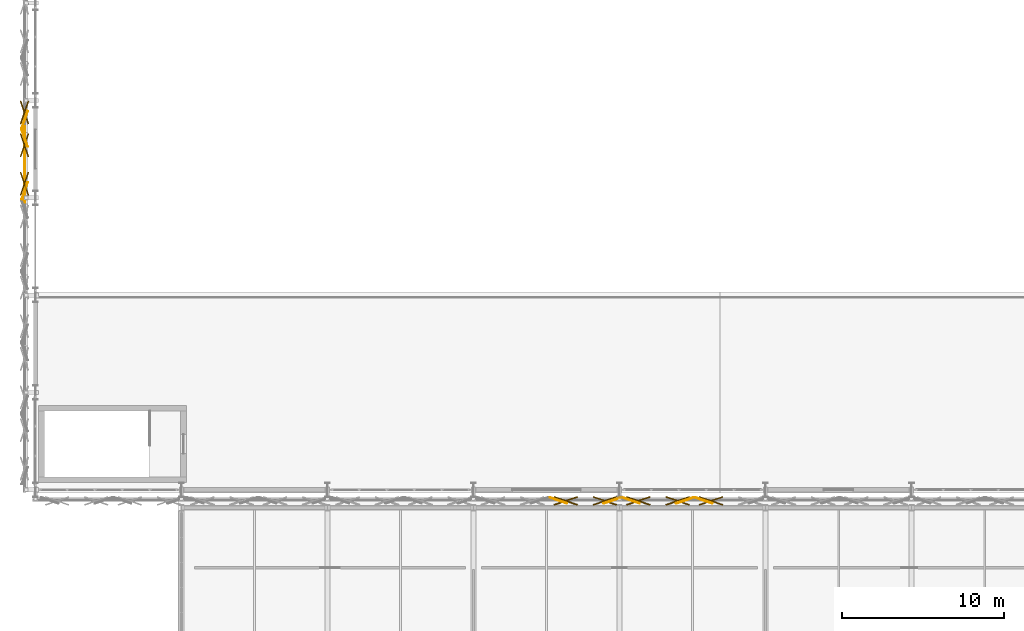
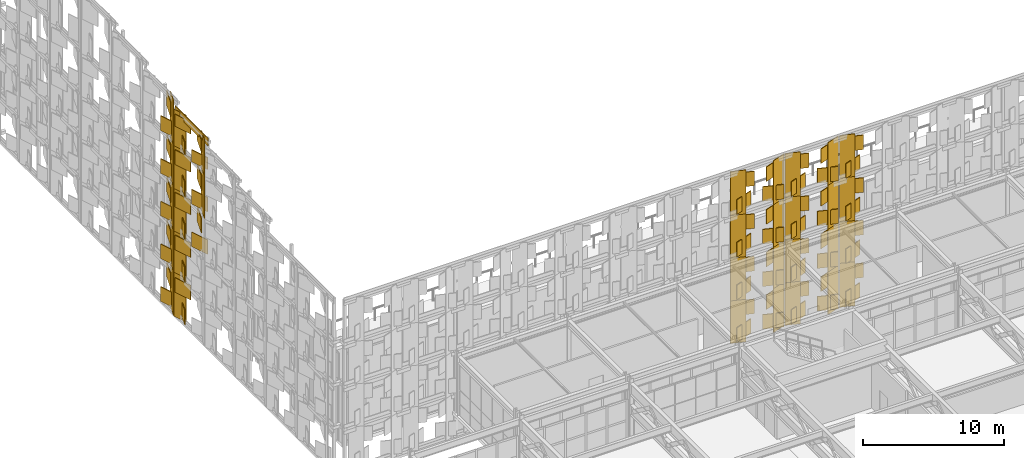
# One storey, part 180 of 210: 99 coverings.
"""IFC4 building model written with IfcOpenShell, lengths in metres."""

from ifc_helpers import new_model, si_unit, direction, frame, origin, origin_2d, place, context, subcontext, project, spatial, rectangle, extrude, material, layer, layer_set, type_object, element, save


model = new_model("IFC4")

# Units and contexts
model_context = context("Model", 3, precision=1e-05, world=origin(), true_north=direction((0.0, 1.0)))
body_context = subcontext(model_context, "Body", "Model", "MODEL_VIEW")
ifc_project = project(units=[si_unit("LENGTHUNIT", "METRE"), si_unit("AREAUNIT", "SQUARE_METRE"), si_unit("VOLUMEUNIT", "CUBIC_METRE"), si_unit("PLANEANGLEUNIT", "RADIAN"), si_unit("MASSUNIT", "GRAM", prefix="KILO")], contexts=[model_context])

# Site, building, storey
site_placement = place(None, origin())
site = spatial("IfcSite", under=ifc_project, at=site_placement, CompositionType="ELEMENT")
building_placement = place(site_placement, origin())
building = spatial("IfcBuilding", under=site, at=building_placement, Name="Kaldris Quays Convention Centre", CompositionType="ELEMENT")
storey_placement = place(building_placement, frame((0.0, 0.0, 6.0)))
storey = spatial("IfcBuildingStorey", under=building, at=storey_placement, Name="L01", CompositionType="ELEMENT", Elevation=6.0)

# Coverings
ifc_material = material(Name="Alabaster white star-pierced anodized aluminium panel", Category="aluminium")
ifc_layer = layer(ifc_material, 0.044921875)
ifc_layer_set = layer_set([ifc_layer], Name="Alabaster white star-pierced anodized aluminium panel")
covering_type = type_object("IfcCoveringType", Name="STAR PIERCED WHITE FOLDED SCREEN CL01", PredefinedType="CLADDING", material=ifc_layer_set)
covering_1_placement = place(storey_placement, frame((19.35009765625, 76.052490234375, 15.208984375), z_axis=(0.0, 0.0, 1.0), x_axis=(0.0, 1.0, 0.0)))
element("IfcCovering", 1, at=covering_1_placement, inside=storey, type_object=covering_type, Name="V1W Gable White Screen Cap Band 116", PredefinedType="CLADDING", context=body_context, shape_type="SweptSolid", body=[
    extrude(rectangle(XDim=4.68896484375, YDim=0.054931640625, at=origin_2d()), origin(), (0.0, 0.0, 1.0), 0.679931640625),
])
covering_2_placement = place(storey_placement, frame((19.340087890625, 77.6767578125, -2.2099609375), z_axis=(0.0, 0.0, 1.0), x_axis=(-0.325568154457, 0.945518575599, 0.0)))
element("IfcCovering", 2, at=covering_2_placement, inside=storey, type_object=covering_type, Name="V1W Folded White Screen Stile 118", PredefinedType="CLADDING", context=body_context, shape_type="SweptSolid", body=[
    extrude(rectangle(XDim=1.114013671875, YDim=0.054931640625, at=origin_2d()), origin(), (0.0, 0.0, 1.0), 3.820068359375),
])
for number, where, z_axis, x_axis, name in (
    (3, (19.320068359375, 77.23779296875, -1.92822265625), (0.0, 0.0, 1.0), (0.325568154457, 0.945518575599, 0.0), "V1W Carved Star Corner Facet 121"),
    (4, (19.320068359375, 77.23779296875, 0.06982421875), (0.0, 0.0, 1.0), (-0.325568154457, 0.945518575599, 0.0), "V1W Carved Star Corner Facet 122"),
):
    element("IfcCovering", number, at=place(storey_placement, frame(where, z_axis=z_axis, x_axis=x_axis)), inside=storey, type_object=covering_type, Name=name, PredefinedType="CLADDING", context=body_context, shape_type="SweptSolid", body=[
        extrude(rectangle(XDim=1.491943359375, YDim=0.06494140625, at=origin_2d()), origin(), (0.0, 0.0, 1.0), 1.258056640625),
    ])
covering_3_placement = place(storey_placement, frame((19.340087890625, 77.6767578125, 1.48974609375), z_axis=(0.0, 0.0, 1.0), x_axis=(-0.325568154457, 0.945518575599, 0.0)))
element("IfcCovering", 5, at=covering_3_placement, inside=storey, type_object=covering_type, Name="V1W Folded White Screen Stile 124", PredefinedType="CLADDING", context=body_context, shape_type="SweptSolid", body=[
    extrude(rectangle(XDim=1.114013671875, YDim=0.054931640625, at=origin_2d()), origin(), (0.0, 0.0, 1.0), 3.820068359375),
])
for number, where, z_axis, x_axis, name in (
    (6, (19.320068359375, 77.23779296875, 1.77197265625), (0.0, 0.0, 1.0), (0.325568154457, 0.945518575599, 0.0), "V1W Carved Star Corner Facet 127"),
    (7, (19.320068359375, 77.23779296875, 3.77001953125), (0.0, 0.0, 1.0), (-0.325568154457, 0.945518575599, 0.0), "V1W Carved Star Corner Facet 128"),
):
    element("IfcCovering", number, at=place(storey_placement, frame(where, z_axis=z_axis, x_axis=x_axis)), inside=storey, type_object=covering_type, Name=name, PredefinedType="CLADDING", context=body_context, shape_type="SweptSolid", body=[
        extrude(rectangle(XDim=1.491943359375, YDim=0.06494140625, at=origin_2d()), origin(), (0.0, 0.0, 1.0), 1.258056640625),
    ])
covering_4_placement = place(storey_placement, frame((19.340087890625, 77.6767578125, 5.18994140625), z_axis=(0.0, 0.0, 1.0), x_axis=(-0.325568154457, 0.945518575599, 0.0)))
element("IfcCovering", 8, at=covering_4_placement, inside=storey, type_object=covering_type, Name="V1W Folded White Screen Stile 130", PredefinedType="CLADDING", context=body_context, shape_type="SweptSolid", body=[
    extrude(rectangle(XDim=1.114013671875, YDim=0.054931640625, at=origin_2d()), origin(), (0.0, 0.0, 1.0), 3.820068359375),
])
for number, where, z_axis, x_axis, name in (
    (9, (19.320068359375, 74.867431640625, 5.47216796875), (0.0, 0.0, 1.0), (-0.325568154457, 0.945518575599, 0.0), "V1W Carved Star Corner Facet 131"),
    (10, (19.320068359375, 74.867431640625, 7.47021484375), (0.0, 0.0, 1.0), (0.325568154457, 0.945518575599, 0.0), "V1W Carved Star Corner Facet 132"),
    (11, (19.320068359375, 77.23779296875, 5.47216796875), (0.0, 0.0, 1.0), (0.325568154457, 0.945518575599, 0.0), "V1W Carved Star Corner Facet 133"),
    (12, (19.320068359375, 77.23779296875, 7.47021484375), (0.0, 0.0, 1.0), (-0.325568154457, 0.945518575599, 0.0), "V1W Carved Star Corner Facet 134"),
):
    element("IfcCovering", number, at=place(storey_placement, frame(where, z_axis=z_axis, x_axis=x_axis)), inside=storey, type_object=covering_type, Name=name, PredefinedType="CLADDING", context=body_context, shape_type="SweptSolid", body=[
        extrude(rectangle(XDim=1.491943359375, YDim=0.06494140625, at=origin_2d()), origin(), (0.0, 0.0, 1.0), 1.258056640625),
    ])
for number, where, z_axis, x_axis, name in (
    (13, (19.340087890625, 74.428466796875, 8.89013671875), (0.0, 0.0, 1.0), (0.325568154457, 0.945518575599, 0.0), "V1W Folded White Screen Stile 135"),
    (14, (19.340087890625, 77.6767578125, 8.89013671875), (0.0, 0.0, 1.0), (-0.325568154457, 0.945518575599, 0.0), "V1W Folded White Screen Stile 136"),
):
    element("IfcCovering", number, at=place(storey_placement, frame(where, z_axis=z_axis, x_axis=x_axis)), inside=storey, type_object=covering_type, Name=name, PredefinedType="CLADDING", context=body_context, shape_type="SweptSolid", body=[
        extrude(rectangle(XDim=1.114013671875, YDim=0.054931640625, at=origin_2d()), origin(), (0.0, 0.0, 1.0), 3.820068359375),
    ])
for number, where, z_axis, x_axis, name in (
    (15, (19.320068359375, 74.867431640625, 9.171875), (0.0, 0.0, 1.0), (-0.325568154457, 0.945518575599, 0.0), "V1W Carved Star Corner Facet 137"),
    (16, (19.320068359375, 74.867431640625, 11.169921875), (0.0, 0.0, 1.0), (0.325568154457, 0.945518575599, 0.0), "V1W Carved Star Corner Facet 138"),
    (17, (19.320068359375, 77.23779296875, 9.171875), (0.0, 0.0, 1.0), (0.325568154457, 0.945518575599, 0.0), "V1W Carved Star Corner Facet 139"),
    (18, (19.320068359375, 77.23779296875, 11.169921875), (0.0, 0.0, 1.0), (-0.325568154457, 0.945518575599, 0.0), "V1W Carved Star Corner Facet 140"),
):
    element("IfcCovering", number, at=place(storey_placement, frame(where, z_axis=z_axis, x_axis=x_axis)), inside=storey, type_object=covering_type, Name=name, PredefinedType="CLADDING", context=body_context, shape_type="SweptSolid", body=[
        extrude(rectangle(XDim=1.491943359375, YDim=0.06494140625, at=origin_2d()), origin(), (0.0, 0.0, 1.0), 1.258056640625),
    ])
for number, where, z_axis, x_axis, name in (
    (19, (19.340087890625, 74.428466796875, 12.590087890625), (0.0, 0.0, 1.0), (0.325568154457, 0.945518575599, 0.0), "V1W Folded White Screen Stile 141"),
    (20, (19.340087890625, 77.6767578125, 12.590087890625), (0.0, 0.0, 1.0), (-0.325568154457, 0.945518575599, 0.0), "V1W Folded White Screen Stile 142"),
):
    element("IfcCovering", number, at=place(storey_placement, frame(where, z_axis=z_axis, x_axis=x_axis)), inside=storey, type_object=covering_type, Name=name, PredefinedType="CLADDING", context=body_context, shape_type="SweptSolid", body=[
        extrude(rectangle(XDim=1.114013671875, YDim=0.054931640625, at=origin_2d()), origin(), (0.0, 0.0, 1.0), 3.1689453125),
    ])
for number, where, z_axis, x_axis, name in (
    (21, (19.320068359375, 74.867431640625, 12.832763671875), (0.0, 0.0, 1.0), (-0.325568154457, 0.945518575599, 0.0), "V1W Carved Star Corner Facet 143"),
    (22, (19.320068359375, 74.867431640625, 14.479248046875), (0.0, 0.0, 1.0), (0.325568154457, 0.945518575599, 0.0), "V1W Carved Star Corner Facet 144"),
    (23, (19.320068359375, 77.23779296875, 12.832763671875), (0.0, 0.0, 1.0), (0.325568154457, 0.945518575599, 0.0), "V1W Carved Star Corner Facet 145"),
    (24, (19.320068359375, 77.23779296875, 14.479248046875), (0.0, 0.0, 1.0), (-0.325568154457, 0.945518575599, 0.0), "V1W Carved Star Corner Facet 146"),
):
    element("IfcCovering", number, at=place(storey_placement, frame(where, z_axis=z_axis, x_axis=x_axis)), inside=storey, type_object=covering_type, Name=name, PredefinedType="CLADDING", context=body_context, shape_type="SweptSolid", body=[
        extrude(rectangle(XDim=1.491943359375, YDim=0.06494140625, at=origin_2d()), origin(), (0.0, 0.0, 1.0), 1.037109375),
    ])
covering_5_placement = place(storey_placement, frame((19.340087890625, 78.818115234375, -2.2099609375), z_axis=(0.0, 0.0, 1.0), x_axis=(0.325568154457, 0.945518575599, 0.0)))
element("IfcCovering", 25, at=covering_5_placement, inside=storey, type_object=covering_type, Name="V1W Folded White Screen Stile 148", PredefinedType="CLADDING", context=body_context, shape_type="SweptSolid", body=[
    extrude(rectangle(XDim=1.114013671875, YDim=0.054931640625, at=origin_2d()), origin(), (0.0, 0.0, 1.0), 3.820068359375),
])
for number, where, z_axis, x_axis, name in (
    (26, (19.320068359375, 79.2568359375, -1.92822265625), (0.0, 0.0, 1.0), (-0.325568154457, 0.945518575599, 0.0), "V1W Carved Star Corner Facet 150"),
    (27, (19.320068359375, 79.2568359375, 0.06982421875), (0.0, 0.0, 1.0), (0.325568154457, 0.945518575599, 0.0), "V1W Carved Star Corner Facet 151"),
):
    element("IfcCovering", number, at=place(storey_placement, frame(where, z_axis=z_axis, x_axis=x_axis)), inside=storey, type_object=covering_type, Name=name, PredefinedType="CLADDING", context=body_context, shape_type="SweptSolid", body=[
        extrude(rectangle(XDim=1.491943359375, YDim=0.06494140625, at=origin_2d()), origin(), (0.0, 0.0, 1.0), 1.258056640625),
    ])
covering_6_placement = place(storey_placement, frame((19.340087890625, 78.818115234375, 1.48974609375), z_axis=(0.0, 0.0, 1.0), x_axis=(0.325568154457, 0.945518575599, 0.0)))
element("IfcCovering", 28, at=covering_6_placement, inside=storey, type_object=covering_type, Name="V1W Folded White Screen Stile 154", PredefinedType="CLADDING", context=body_context, shape_type="SweptSolid", body=[
    extrude(rectangle(XDim=1.114013671875, YDim=0.054931640625, at=origin_2d()), origin(), (0.0, 0.0, 1.0), 3.820068359375),
])
for number, where, z_axis, x_axis, name in (
    (29, (19.320068359375, 79.2568359375, 1.77197265625), (0.0, 0.0, 1.0), (-0.325568154457, 0.945518575599, 0.0), "V1W Carved Star Corner Facet 156"),
    (30, (19.320068359375, 79.2568359375, 3.77001953125), (0.0, 0.0, 1.0), (0.325568154457, 0.945518575599, 0.0), "V1W Carved Star Corner Facet 157"),
):
    element("IfcCovering", number, at=place(storey_placement, frame(where, z_axis=z_axis, x_axis=x_axis)), inside=storey, type_object=covering_type, Name=name, PredefinedType="CLADDING", context=body_context, shape_type="SweptSolid", body=[
        extrude(rectangle(XDim=1.491943359375, YDim=0.06494140625, at=origin_2d()), origin(), (0.0, 0.0, 1.0), 1.258056640625),
    ])
covering_7_placement = place(storey_placement, frame((19.340087890625, 78.818115234375, 5.18994140625), z_axis=(0.0, 0.0, 1.0), x_axis=(0.325568154457, 0.945518575599, 0.0)))
element("IfcCovering", 31, at=covering_7_placement, inside=storey, type_object=covering_type, Name="V1W Folded White Screen Stile 160", PredefinedType="CLADDING", context=body_context, shape_type="SweptSolid", body=[
    extrude(rectangle(XDim=1.114013671875, YDim=0.054931640625, at=origin_2d()), origin(), (0.0, 0.0, 1.0), 3.820068359375),
])
for number, where, z_axis, x_axis, name in (
    (32, (19.320068359375, 79.2568359375, 5.47216796875), (0.0, 0.0, 1.0), (-0.325568154457, 0.945518575599, 0.0), "V1W Carved Star Corner Facet 162"),
    (33, (19.320068359375, 79.2568359375, 7.47021484375), (0.0, 0.0, 1.0), (0.325568154457, 0.945518575599, 0.0), "V1W Carved Star Corner Facet 163"),
):
    element("IfcCovering", number, at=place(storey_placement, frame(where, z_axis=z_axis, x_axis=x_axis)), inside=storey, type_object=covering_type, Name=name, PredefinedType="CLADDING", context=body_context, shape_type="SweptSolid", body=[
        extrude(rectangle(XDim=1.491943359375, YDim=0.06494140625, at=origin_2d()), origin(), (0.0, 0.0, 1.0), 1.258056640625),
    ])
covering_8_placement = place(storey_placement, frame((19.340087890625, 78.818115234375, 8.89013671875), z_axis=(0.0, 0.0, 1.0), x_axis=(0.325568154457, 0.945518575599, 0.0)))
element("IfcCovering", 34, at=covering_8_placement, inside=storey, type_object=covering_type, Name="V1W Folded White Screen Stile 166", PredefinedType="CLADDING", context=body_context, shape_type="SweptSolid", body=[
    extrude(rectangle(XDim=1.114013671875, YDim=0.054931640625, at=origin_2d()), origin(), (0.0, 0.0, 1.0), 3.820068359375),
])
for number, where, z_axis, x_axis, name in (
    (35, (19.320068359375, 79.2568359375, 9.171875), (0.0, 0.0, 1.0), (-0.325568154457, 0.945518575599, 0.0), "V1W Carved Star Corner Facet 168"),
    (36, (19.320068359375, 79.2568359375, 11.169921875), (0.0, 0.0, 1.0), (0.325568154457, 0.945518575599, 0.0), "V1W Carved Star Corner Facet 169"),
):
    element("IfcCovering", number, at=place(storey_placement, frame(where, z_axis=z_axis, x_axis=x_axis)), inside=storey, type_object=covering_type, Name=name, PredefinedType="CLADDING", context=body_context, shape_type="SweptSolid", body=[
        extrude(rectangle(XDim=1.491943359375, YDim=0.06494140625, at=origin_2d()), origin(), (0.0, 0.0, 1.0), 1.258056640625),
    ])
covering_9_placement = place(storey_placement, frame((19.340087890625, 78.818115234375, 12.590087890625), z_axis=(0.0, 0.0, 1.0), x_axis=(0.325568154457, 0.945518575599, 0.0)))
element("IfcCovering", 37, at=covering_9_placement, inside=storey, type_object=covering_type, Name="V1W Folded White Screen Stile 172", PredefinedType="CLADDING", context=body_context, shape_type="SweptSolid", body=[
    extrude(rectangle(XDim=1.114013671875, YDim=0.054931640625, at=origin_2d()), origin(), (0.0, 0.0, 1.0), 3.90087890625),
])
for number, where, z_axis, x_axis, name in (
    (38, (19.320068359375, 79.2568359375, 12.87646484375), (0.0, 0.0, 1.0), (-0.325568154457, 0.945518575599, 0.0), "V1W Carved Star Corner Facet 174"),
    (39, (19.320068359375, 79.2568359375, 14.91845703125), (0.0, 0.0, 1.0), (0.325568154457, 0.945518575599, 0.0), "V1W Carved Star Corner Facet 175"),
):
    element("IfcCovering", number, at=place(storey_placement, frame(where, z_axis=z_axis, x_axis=x_axis)), inside=storey, type_object=covering_type, Name=name, PredefinedType="CLADDING", context=body_context, shape_type="SweptSolid", body=[
        extrude(rectangle(XDim=1.491943359375, YDim=0.06494140625, at=origin_2d()), origin(), (0.0, 0.0, 1.0), 1.285888671875),
    ])
for number, where, z_axis, x_axis, name in (
    (40, (52.232177734375, 55.340087890625, -2.2099609375), (0.0, 0.0, 1.0), (0.945518575599, -0.325568154457, 0.0), "V1S Folded White Screen Stile 1248"),
    (41, (55.54638671875, 55.340087890625, -2.2099609375), (0.0, 0.0, 1.0), (0.945518575599, 0.325568154457, 0.0), "V1S Folded White Screen Stile 1249"),
):
    element("IfcCovering", number, at=place(storey_placement, frame(where, z_axis=z_axis, x_axis=x_axis)), inside=storey, type_object=covering_type, Name=name, PredefinedType="CLADDING", context=body_context, shape_type="SweptSolid", body=[
        extrude(rectangle(XDim=1.136962890625, YDim=0.054931640625, at=origin_2d()), origin(), (0.0, 0.0, 1.0), 3.820068359375),
    ])
for number, where, z_axis, x_axis, name in (
    (42, (52.68017578125, 55.320068359375, -1.92822265625), (0.0, 0.0, 1.0), (0.945518575599, 0.325568154457, 0.0), "V1S Carved Star Corner Facet 1250"),
    (43, (52.68017578125, 55.320068359375, 0.06982421875), (0.0, 0.0, 1.0), (0.945518575599, -0.325568154457, 0.0), "V1S Carved Star Corner Facet 1251"),
    (44, (55.098388671875, 55.320068359375, -1.92822265625), (0.0, 0.0, 1.0), (0.945518575599, -0.325568154457, 0.0), "V1S Carved Star Corner Facet 1252"),
    (45, (55.098388671875, 55.320068359375, 0.06982421875), (0.0, 0.0, 1.0), (0.945518575599, 0.325568154457, 0.0), "V1S Carved Star Corner Facet 1253"),
):
    element("IfcCovering", number, at=place(storey_placement, frame(where, z_axis=z_axis, x_axis=x_axis)), inside=storey, type_object=covering_type, Name=name, PredefinedType="CLADDING", context=body_context, shape_type="SweptSolid", body=[
        extrude(rectangle(XDim=1.52294921875, YDim=0.06494140625, at=origin_2d()), origin(), (0.0, 0.0, 1.0), 1.258056640625),
    ])
for number, where, z_axis, x_axis, name in (
    (46, (52.232177734375, 55.340087890625, 1.48974609375), (0.0, 0.0, 1.0), (0.945518575599, -0.325568154457, 0.0), "V1S Folded White Screen Stile 1254"),
    (47, (55.54638671875, 55.340087890625, 1.48974609375), (0.0, 0.0, 1.0), (0.945518575599, 0.325568154457, 0.0), "V1S Folded White Screen Stile 1255"),
):
    element("IfcCovering", number, at=place(storey_placement, frame(where, z_axis=z_axis, x_axis=x_axis)), inside=storey, type_object=covering_type, Name=name, PredefinedType="CLADDING", context=body_context, shape_type="SweptSolid", body=[
        extrude(rectangle(XDim=1.136962890625, YDim=0.054931640625, at=origin_2d()), origin(), (0.0, 0.0, 1.0), 3.820068359375),
    ])
for number, where, z_axis, x_axis, name in (
    (48, (52.68017578125, 55.320068359375, 1.77197265625), (0.0, 0.0, 1.0), (0.945518575599, 0.325568154457, 0.0), "V1S Carved Star Corner Facet 1256"),
    (49, (52.68017578125, 55.320068359375, 3.77001953125), (0.0, 0.0, 1.0), (0.945518575599, -0.325568154457, 0.0), "V1S Carved Star Corner Facet 1257"),
    (50, (55.098388671875, 55.320068359375, 1.77197265625), (0.0, 0.0, 1.0), (0.945518575599, -0.325568154457, 0.0), "V1S Carved Star Corner Facet 1258"),
    (51, (55.098388671875, 55.320068359375, 3.77001953125), (0.0, 0.0, 1.0), (0.945518575599, 0.325568154457, 0.0), "V1S Carved Star Corner Facet 1259"),
):
    element("IfcCovering", number, at=place(storey_placement, frame(where, z_axis=z_axis, x_axis=x_axis)), inside=storey, type_object=covering_type, Name=name, PredefinedType="CLADDING", context=body_context, shape_type="SweptSolid", body=[
        extrude(rectangle(XDim=1.52294921875, YDim=0.06494140625, at=origin_2d()), origin(), (0.0, 0.0, 1.0), 1.258056640625),
    ])
for number, where, z_axis, x_axis, name in (
    (52, (52.232177734375, 55.340087890625, 5.18994140625), (0.0, 0.0, 1.0), (0.945518575599, -0.325568154457, 0.0), "V1S Folded White Screen Stile 1260"),
    (53, (55.54638671875, 55.340087890625, 5.18994140625), (0.0, 0.0, 1.0), (0.945518575599, 0.325568154457, 0.0), "V1S Folded White Screen Stile 1261"),
):
    element("IfcCovering", number, at=place(storey_placement, frame(where, z_axis=z_axis, x_axis=x_axis)), inside=storey, type_object=covering_type, Name=name, PredefinedType="CLADDING", context=body_context, shape_type="SweptSolid", body=[
        extrude(rectangle(XDim=1.136962890625, YDim=0.054931640625, at=origin_2d()), origin(), (0.0, 0.0, 1.0), 3.820068359375),
    ])
for number, where, z_axis, x_axis, name in (
    (54, (52.68017578125, 55.320068359375, 5.47216796875), (0.0, 0.0, 1.0), (0.945518575599, 0.325568154457, 0.0), "V1S Carved Star Corner Facet 1262"),
    (55, (52.68017578125, 55.320068359375, 7.47021484375), (0.0, 0.0, 1.0), (0.945518575599, -0.325568154457, 0.0), "V1S Carved Star Corner Facet 1263"),
    (56, (55.098388671875, 55.320068359375, 5.47216796875), (0.0, 0.0, 1.0), (0.945518575599, -0.325568154457, 0.0), "V1S Carved Star Corner Facet 1264"),
    (57, (55.098388671875, 55.320068359375, 7.47021484375), (0.0, 0.0, 1.0), (0.945518575599, 0.325568154457, 0.0), "V1S Carved Star Corner Facet 1265"),
):
    element("IfcCovering", number, at=place(storey_placement, frame(where, z_axis=z_axis, x_axis=x_axis)), inside=storey, type_object=covering_type, Name=name, PredefinedType="CLADDING", context=body_context, shape_type="SweptSolid", body=[
        extrude(rectangle(XDim=1.52294921875, YDim=0.06494140625, at=origin_2d()), origin(), (0.0, 0.0, 1.0), 1.258056640625),
    ])
for number, where, z_axis, x_axis, name in (
    (58, (52.232177734375, 55.340087890625, 8.89013671875), (0.0, 0.0, 1.0), (0.945518575599, -0.325568154457, 0.0), "V1S Folded White Screen Stile 1266"),
    (59, (55.54638671875, 55.340087890625, 8.89013671875), (0.0, 0.0, 1.0), (0.945518575599, 0.325568154457, 0.0), "V1S Folded White Screen Stile 1267"),
):
    element("IfcCovering", number, at=place(storey_placement, frame(where, z_axis=z_axis, x_axis=x_axis)), inside=storey, type_object=covering_type, Name=name, PredefinedType="CLADDING", context=body_context, shape_type="SweptSolid", body=[
        extrude(rectangle(XDim=1.136962890625, YDim=0.054931640625, at=origin_2d()), origin(), (0.0, 0.0, 1.0), 3.820068359375),
    ])
for number, where, z_axis, x_axis, name in (
    (60, (52.68017578125, 55.320068359375, 9.171875), (0.0, 0.0, 1.0), (0.945518575599, 0.325568154457, 0.0), "V1S Carved Star Corner Facet 1268"),
    (61, (52.68017578125, 55.320068359375, 11.169921875), (0.0, 0.0, 1.0), (0.945518575599, -0.325568154457, 0.0), "V1S Carved Star Corner Facet 1269"),
    (62, (55.098388671875, 55.320068359375, 9.171875), (0.0, 0.0, 1.0), (0.945518575599, -0.325568154457, 0.0), "V1S Carved Star Corner Facet 1270"),
    (63, (55.098388671875, 55.320068359375, 11.169921875), (0.0, 0.0, 1.0), (0.945518575599, 0.325568154457, 0.0), "V1S Carved Star Corner Facet 1271"),
):
    element("IfcCovering", number, at=place(storey_placement, frame(where, z_axis=z_axis, x_axis=x_axis)), inside=storey, type_object=covering_type, Name=name, PredefinedType="CLADDING", context=body_context, shape_type="SweptSolid", body=[
        extrude(rectangle(XDim=1.52294921875, YDim=0.06494140625, at=origin_2d()), origin(), (0.0, 0.0, 1.0), 1.258056640625),
    ])
for number, where, z_axis, x_axis, name in (
    (64, (56.710693359375, 55.340087890625, -2.2099609375), (0.0, 0.0, 1.0), (0.945518575599, -0.325568154457, 0.0), "V1S Folded White Screen Stile 1272"),
    (65, (60.02490234375, 55.340087890625, -2.2099609375), (0.0, 0.0, 1.0), (0.945518575599, 0.325568154457, 0.0), "V1S Folded White Screen Stile 1273"),
):
    element("IfcCovering", number, at=place(storey_placement, frame(where, z_axis=z_axis, x_axis=x_axis)), inside=storey, type_object=covering_type, Name=name, PredefinedType="CLADDING", context=body_context, shape_type="SweptSolid", body=[
        extrude(rectangle(XDim=1.136962890625, YDim=0.054931640625, at=origin_2d()), origin(), (0.0, 0.0, 1.0), 3.820068359375),
    ])
for number, where, z_axis, x_axis, name in (
    (66, (57.15869140625, 55.320068359375, -1.92822265625), (0.0, 0.0, 1.0), (0.945518575599, 0.325568154457, 0.0), "V1S Carved Star Corner Facet 1274"),
    (67, (57.15869140625, 55.320068359375, 0.06982421875), (0.0, 0.0, 1.0), (0.945518575599, -0.325568154457, 0.0), "V1S Carved Star Corner Facet 1275"),
    (68, (59.5771484375, 55.320068359375, -1.92822265625), (0.0, 0.0, 1.0), (0.945518575599, -0.325568154457, 0.0), "V1S Carved Star Corner Facet 1276"),
    (69, (59.5771484375, 55.320068359375, 0.06982421875), (0.0, 0.0, 1.0), (0.945518575599, 0.325568154457, 0.0), "V1S Carved Star Corner Facet 1277"),
):
    element("IfcCovering", number, at=place(storey_placement, frame(where, z_axis=z_axis, x_axis=x_axis)), inside=storey, type_object=covering_type, Name=name, PredefinedType="CLADDING", context=body_context, shape_type="SweptSolid", body=[
        extrude(rectangle(XDim=1.52294921875, YDim=0.06494140625, at=origin_2d()), origin(), (0.0, 0.0, 1.0), 1.258056640625),
    ])
for number, where, z_axis, x_axis, name in (
    (70, (56.710693359375, 55.340087890625, 1.48974609375), (0.0, 0.0, 1.0), (0.945518575599, -0.325568154457, 0.0), "V1S Folded White Screen Stile 1278"),
    (71, (60.02490234375, 55.340087890625, 1.48974609375), (0.0, 0.0, 1.0), (0.945518575599, 0.325568154457, 0.0), "V1S Folded White Screen Stile 1279"),
):
    element("IfcCovering", number, at=place(storey_placement, frame(where, z_axis=z_axis, x_axis=x_axis)), inside=storey, type_object=covering_type, Name=name, PredefinedType="CLADDING", context=body_context, shape_type="SweptSolid", body=[
        extrude(rectangle(XDim=1.136962890625, YDim=0.054931640625, at=origin_2d()), origin(), (0.0, 0.0, 1.0), 3.820068359375),
    ])
for number, where, z_axis, x_axis, name in (
    (72, (57.15869140625, 55.320068359375, 1.77197265625), (0.0, 0.0, 1.0), (0.945518575599, 0.325568154457, 0.0), "V1S Carved Star Corner Facet 1280"),
    (73, (57.15869140625, 55.320068359375, 3.77001953125), (0.0, 0.0, 1.0), (0.945518575599, -0.325568154457, 0.0), "V1S Carved Star Corner Facet 1281"),
    (74, (59.5771484375, 55.320068359375, 1.77197265625), (0.0, 0.0, 1.0), (0.945518575599, -0.325568154457, 0.0), "V1S Carved Star Corner Facet 1282"),
    (75, (59.5771484375, 55.320068359375, 3.77001953125), (0.0, 0.0, 1.0), (0.945518575599, 0.325568154457, 0.0), "V1S Carved Star Corner Facet 1283"),
):
    element("IfcCovering", number, at=place(storey_placement, frame(where, z_axis=z_axis, x_axis=x_axis)), inside=storey, type_object=covering_type, Name=name, PredefinedType="CLADDING", context=body_context, shape_type="SweptSolid", body=[
        extrude(rectangle(XDim=1.52294921875, YDim=0.06494140625, at=origin_2d()), origin(), (0.0, 0.0, 1.0), 1.258056640625),
    ])
for number, where, z_axis, x_axis, name in (
    (76, (56.710693359375, 55.340087890625, 5.18994140625), (0.0, 0.0, 1.0), (0.945518575599, -0.325568154457, 0.0), "V1S Folded White Screen Stile 1284"),
    (77, (60.02490234375, 55.340087890625, 5.18994140625), (0.0, 0.0, 1.0), (0.945518575599, 0.325568154457, 0.0), "V1S Folded White Screen Stile 1285"),
):
    element("IfcCovering", number, at=place(storey_placement, frame(where, z_axis=z_axis, x_axis=x_axis)), inside=storey, type_object=covering_type, Name=name, PredefinedType="CLADDING", context=body_context, shape_type="SweptSolid", body=[
        extrude(rectangle(XDim=1.136962890625, YDim=0.054931640625, at=origin_2d()), origin(), (0.0, 0.0, 1.0), 3.820068359375),
    ])
for number, where, z_axis, x_axis, name in (
    (78, (57.15869140625, 55.320068359375, 5.47216796875), (0.0, 0.0, 1.0), (0.945518575599, 0.325568154457, 0.0), "V1S Carved Star Corner Facet 1286"),
    (79, (57.15869140625, 55.320068359375, 7.47021484375), (0.0, 0.0, 1.0), (0.945518575599, -0.325568154457, 0.0), "V1S Carved Star Corner Facet 1287"),
    (80, (59.5771484375, 55.320068359375, 5.47216796875), (0.0, 0.0, 1.0), (0.945518575599, -0.325568154457, 0.0), "V1S Carved Star Corner Facet 1288"),
    (81, (59.5771484375, 55.320068359375, 7.47021484375), (0.0, 0.0, 1.0), (0.945518575599, 0.325568154457, 0.0), "V1S Carved Star Corner Facet 1289"),
):
    element("IfcCovering", number, at=place(storey_placement, frame(where, z_axis=z_axis, x_axis=x_axis)), inside=storey, type_object=covering_type, Name=name, PredefinedType="CLADDING", context=body_context, shape_type="SweptSolid", body=[
        extrude(rectangle(XDim=1.52294921875, YDim=0.06494140625, at=origin_2d()), origin(), (0.0, 0.0, 1.0), 1.258056640625),
    ])
for number, where, z_axis, x_axis, name in (
    (82, (56.710693359375, 55.340087890625, 8.89013671875), (0.0, 0.0, 1.0), (0.945518575599, -0.325568154457, 0.0), "V1S Folded White Screen Stile 1290"),
    (83, (60.02490234375, 55.340087890625, 8.89013671875), (0.0, 0.0, 1.0), (0.945518575599, 0.325568154457, 0.0), "V1S Folded White Screen Stile 1291"),
):
    element("IfcCovering", number, at=place(storey_placement, frame(where, z_axis=z_axis, x_axis=x_axis)), inside=storey, type_object=covering_type, Name=name, PredefinedType="CLADDING", context=body_context, shape_type="SweptSolid", body=[
        extrude(rectangle(XDim=1.136962890625, YDim=0.054931640625, at=origin_2d()), origin(), (0.0, 0.0, 1.0), 3.820068359375),
    ])
for number, where, z_axis, x_axis, name in (
    (84, (57.15869140625, 55.320068359375, 9.171875), (0.0, 0.0, 1.0), (0.945518575599, 0.325568154457, 0.0), "V1S Carved Star Corner Facet 1292"),
    (85, (57.15869140625, 55.320068359375, 11.169921875), (0.0, 0.0, 1.0), (0.945518575599, -0.325568154457, 0.0), "V1S Carved Star Corner Facet 1293"),
    (86, (59.5771484375, 55.320068359375, 9.171875), (0.0, 0.0, 1.0), (0.945518575599, -0.325568154457, 0.0), "V1S Carved Star Corner Facet 1294"),
    (87, (59.5771484375, 55.320068359375, 11.169921875), (0.0, 0.0, 1.0), (0.945518575599, 0.325568154457, 0.0), "V1S Carved Star Corner Facet 1295"),
):
    element("IfcCovering", number, at=place(storey_placement, frame(where, z_axis=z_axis, x_axis=x_axis)), inside=storey, type_object=covering_type, Name=name, PredefinedType="CLADDING", context=body_context, shape_type="SweptSolid", body=[
        extrude(rectangle(XDim=1.52294921875, YDim=0.06494140625, at=origin_2d()), origin(), (0.0, 0.0, 1.0), 1.258056640625),
    ])
covering_10_placement = place(storey_placement, frame((61.189453125, 55.340087890625, -2.2099609375), z_axis=(0.0, 0.0, 1.0), x_axis=(0.945518575599, -0.325568154457, 0.0)))
element("IfcCovering", 88, at=covering_10_placement, inside=storey, type_object=covering_type, Name="V1S Folded White Screen Stile 1296", PredefinedType="CLADDING", context=body_context, shape_type="SweptSolid", body=[
    extrude(rectangle(XDim=1.136962890625, YDim=0.054931640625, at=origin_2d()), origin(), (0.0, 0.0, 1.0), 3.820068359375),
])
for number, where, z_axis, x_axis, name in (
    (89, (61.63720703125, 55.320068359375, -1.92822265625), (0.0, 0.0, 1.0), (0.945518575599, 0.325568154457, 0.0), "V1S Carved Star Corner Facet 1298"),
    (90, (61.63720703125, 55.320068359375, 0.06982421875), (0.0, 0.0, 1.0), (0.945518575599, -0.325568154457, 0.0), "V1S Carved Star Corner Facet 1299"),
):
    element("IfcCovering", number, at=place(storey_placement, frame(where, z_axis=z_axis, x_axis=x_axis)), inside=storey, type_object=covering_type, Name=name, PredefinedType="CLADDING", context=body_context, shape_type="SweptSolid", body=[
        extrude(rectangle(XDim=1.52294921875, YDim=0.06494140625, at=origin_2d()), origin(), (0.0, 0.0, 1.0), 1.258056640625),
    ])
covering_11_placement = place(storey_placement, frame((61.189453125, 55.340087890625, 1.48974609375), z_axis=(0.0, 0.0, 1.0), x_axis=(0.945518575599, -0.325568154457, 0.0)))
element("IfcCovering", 91, at=covering_11_placement, inside=storey, type_object=covering_type, Name="V1S Folded White Screen Stile 1302", PredefinedType="CLADDING", context=body_context, shape_type="SweptSolid", body=[
    extrude(rectangle(XDim=1.136962890625, YDim=0.054931640625, at=origin_2d()), origin(), (0.0, 0.0, 1.0), 3.820068359375),
])
for number, where, z_axis, x_axis, name in (
    (92, (61.63720703125, 55.320068359375, 1.77197265625), (0.0, 0.0, 1.0), (0.945518575599, 0.325568154457, 0.0), "V1S Carved Star Corner Facet 1304"),
    (93, (61.63720703125, 55.320068359375, 3.77001953125), (0.0, 0.0, 1.0), (0.945518575599, -0.325568154457, 0.0), "V1S Carved Star Corner Facet 1305"),
):
    element("IfcCovering", number, at=place(storey_placement, frame(where, z_axis=z_axis, x_axis=x_axis)), inside=storey, type_object=covering_type, Name=name, PredefinedType="CLADDING", context=body_context, shape_type="SweptSolid", body=[
        extrude(rectangle(XDim=1.52294921875, YDim=0.06494140625, at=origin_2d()), origin(), (0.0, 0.0, 1.0), 1.258056640625),
    ])
covering_12_placement = place(storey_placement, frame((61.189453125, 55.340087890625, 5.18994140625), z_axis=(0.0, 0.0, 1.0), x_axis=(0.945518575599, -0.325568154457, 0.0)))
element("IfcCovering", 94, at=covering_12_placement, inside=storey, type_object=covering_type, Name="V1S Folded White Screen Stile 1308", PredefinedType="CLADDING", context=body_context, shape_type="SweptSolid", body=[
    extrude(rectangle(XDim=1.136962890625, YDim=0.054931640625, at=origin_2d()), origin(), (0.0, 0.0, 1.0), 3.820068359375),
])
for number, where, z_axis, x_axis, name in (
    (95, (61.63720703125, 55.320068359375, 5.47216796875), (0.0, 0.0, 1.0), (0.945518575599, 0.325568154457, 0.0), "V1S Carved Star Corner Facet 1310"),
    (96, (61.63720703125, 55.320068359375, 7.47021484375), (0.0, 0.0, 1.0), (0.945518575599, -0.325568154457, 0.0), "V1S Carved Star Corner Facet 1311"),
):
    element("IfcCovering", number, at=place(storey_placement, frame(where, z_axis=z_axis, x_axis=x_axis)), inside=storey, type_object=covering_type, Name=name, PredefinedType="CLADDING", context=body_context, shape_type="SweptSolid", body=[
        extrude(rectangle(XDim=1.52294921875, YDim=0.06494140625, at=origin_2d()), origin(), (0.0, 0.0, 1.0), 1.258056640625),
    ])
covering_13_placement = place(storey_placement, frame((61.189453125, 55.340087890625, 8.89013671875), z_axis=(0.0, 0.0, 1.0), x_axis=(0.945518575599, -0.325568154457, 0.0)))
element("IfcCovering", 97, at=covering_13_placement, inside=storey, type_object=covering_type, Name="V1S Folded White Screen Stile 1314", PredefinedType="CLADDING", context=body_context, shape_type="SweptSolid", body=[
    extrude(rectangle(XDim=1.136962890625, YDim=0.054931640625, at=origin_2d()), origin(), (0.0, 0.0, 1.0), 3.820068359375),
])
for number, where, z_axis, x_axis, name in (
    (98, (61.63720703125, 55.320068359375, 9.171875), (0.0, 0.0, 1.0), (0.945518575599, 0.325568154457, 0.0), "V1S Carved Star Corner Facet 1316"),
    (99, (61.63720703125, 55.320068359375, 11.169921875), (0.0, 0.0, 1.0), (0.945518575599, -0.325568154457, 0.0), "V1S Carved Star Corner Facet 1317"),
):
    element("IfcCovering", number, at=place(storey_placement, frame(where, z_axis=z_axis, x_axis=x_axis)), inside=storey, type_object=covering_type, Name=name, PredefinedType="CLADDING", context=body_context, shape_type="SweptSolid", body=[
        extrude(rectangle(XDim=1.52294921875, YDim=0.06494140625, at=origin_2d()), origin(), (0.0, 0.0, 1.0), 1.258056640625),
    ])

save(model, "model.ifc")
